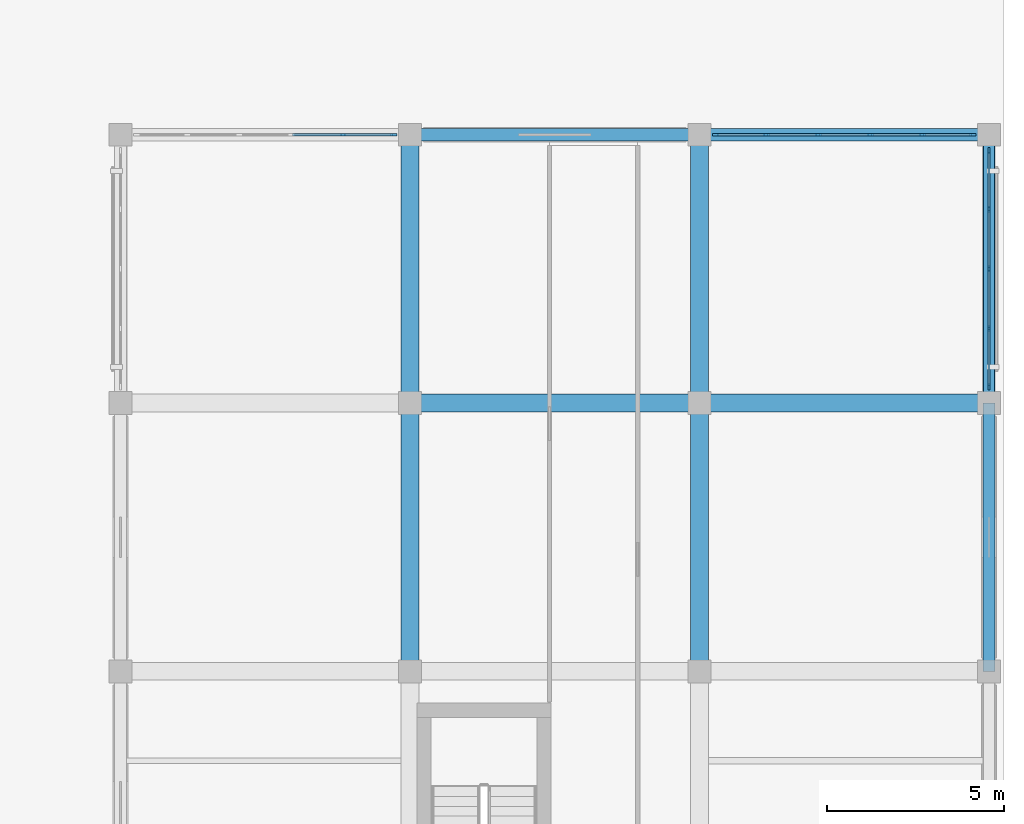
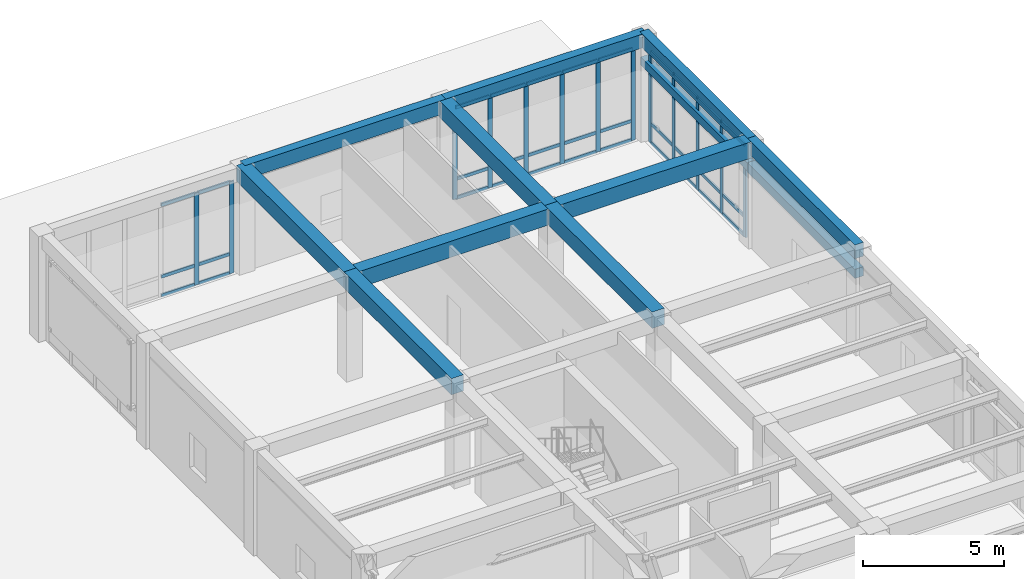
# One storey, part 10 of 23: 46 members, 12 beams, 3 elements without a shape of their own.
"""IFC4 building model written with IfcOpenShell, lengths in metres."""

from ifc_helpers import new_model, si_unit, direction, frame, origin, origin_2d, place, context, subcontext, project, spatial, rectangle, extrude, material, material_profile, profile_set, type_object, element, aggregate, save


model = new_model("IFC4")

# Units and contexts
model_context = context("Model", 3, precision=1e-05, world=origin(), true_north=direction((0.0, 1.0)))
body_context = subcontext(model_context, "Body", "Model", "MODEL_VIEW")
ifc_project = project(units=[si_unit("LENGTHUNIT", "METRE"), si_unit("AREAUNIT", "SQUARE_METRE"), si_unit("VOLUMEUNIT", "CUBIC_METRE"), si_unit("PLANEANGLEUNIT", "RADIAN"), si_unit("MASSUNIT", "GRAM", prefix="KILO")], contexts=[model_context])

# Site, building, storey
site_placement = place(None, origin())
site = spatial("IfcSite", under=ifc_project, at=site_placement, CompositionType="ELEMENT")
building_placement = place(site_placement, origin())
building = spatial("IfcBuilding", under=site, at=building_placement, Name="Qandaris Square Conservatory and Botanical Centre", CompositionType="ELEMENT")
storey_placement = place(building_placement, frame((0.0, 0.0, 15.0)))
storey = spatial("IfcBuildingStorey", under=building, at=storey_placement, Name="L03", CompositionType="ELEMENT", Elevation=15.0)

# Curtain wall, members
ifc_material_1 = material(Name="Anodised Aluminium", Category="aluminium")
curtain_wall_type_1 = type_object("IfcCurtainWallType", Name="Unitised Curtain Wall CW-4-675x397", PredefinedType="USERDEFINED", material=ifc_material_1)
curtain_wall_1_placement = place(storey_placement, origin())
curtain_wall_1 = element("IfcCurtainWall", 1, at=curtain_wall_1_placement, inside=storey, type_object=curtain_wall_type_1, Name="Curtain Wall CW-TWR-L03-2-10", ObjectType="GLAZED CURTAIN WALL", PredefinedType="USERDEFINED")
ifc_material_profile_1 = material_profile(ifc_material_1, rectangle(XDim=0.06494140625, YDim=0.179931640625, at=origin_2d()), Name="ALU-MUL 65x180")
ifc_profile_set_1 = profile_set([ifc_material_profile_1], Name="Anodised Aluminium")
member_type_1 = type_object("IfcMemberType", Name="Curtain Wall Mullion 65x180", PredefinedType="MULLION", material=ifc_profile_set_1)
member_1_placement = place(storey_placement, frame((163.800048828125, 85.45751953125, 0.0), z_axis=(0.0, 0.0, 1.0), x_axis=(-1.0, 0.0, 0.0)))
member_1 = element("IfcMember", 2, at=member_1_placement, type_object=member_type_1, Name="CW-4-675x397 mullion 1", PredefinedType="MULLION", context=body_context, shape_type="SweptSolid", body=[
    extrude(rectangle(XDim=0.06494140625, YDim=0.179931640625, at=origin_2d()), origin(), (0.0, 0.0, 1.0), 3.969970703125),
])
member_2_placement = place(storey_placement, frame((163.800048828125, 87.112548828125, 0.0), z_axis=(0.0, 0.0, 1.0), x_axis=(-1.0, 0.0, 0.0)))
member_2 = element("IfcMember", 3, at=member_2_placement, type_object=member_type_1, Name="CW-4-675x397 mullion 2", PredefinedType="MULLION", context=body_context, shape_type="SweptSolid", body=[
    extrude(rectangle(XDim=0.06494140625, YDim=0.179931640625, at=origin_2d()), origin(), (0.0, 0.0, 1.0), 3.969970703125),
])
member_3_placement = place(storey_placement, frame((163.800048828125, 88.800048828125, 0.0), z_axis=(0.0, 0.0, 1.0), x_axis=(-1.0, 0.0, 0.0)))
member_3 = element("IfcMember", 4, at=member_3_placement, type_object=member_type_1, Name="CW-4-675x397 mullion 3", PredefinedType="MULLION", context=body_context, shape_type="SweptSolid", body=[
    extrude(rectangle(XDim=0.06494140625, YDim=0.179931640625, at=origin_2d()), origin(), (0.0, 0.0, 1.0), 3.969970703125),
])
member_4_placement = place(storey_placement, frame((163.800048828125, 90.487548828125, 0.0), z_axis=(0.0, 0.0, 1.0), x_axis=(-1.0, 0.0, 0.0)))
member_4 = element("IfcMember", 5, at=member_4_placement, type_object=member_type_1, Name="CW-4-675x397 mullion 4", PredefinedType="MULLION", context=body_context, shape_type="SweptSolid", body=[
    extrude(rectangle(XDim=0.06494140625, YDim=0.179931640625, at=origin_2d()), origin(), (0.0, 0.0, 1.0), 3.969970703125),
])
member_5_placement = place(storey_placement, frame((163.800048828125, 92.142578125, 0.0), z_axis=(0.0, 0.0, 1.0), x_axis=(-1.0, 0.0, 0.0)))
member_5 = element("IfcMember", 6, at=member_5_placement, type_object=member_type_1, Name="CW-4-675x397 mullion 5", PredefinedType="MULLION", context=body_context, shape_type="SweptSolid", body=[
    extrude(rectangle(XDim=0.06494140625, YDim=0.179931640625, at=origin_2d()), origin(), (0.0, 0.0, 1.0), 3.969970703125),
])

curtain_wall_type_2 = type_object("IfcCurtainWallType", Name="Unitised Curtain Wall CW-3-735x397", PredefinedType="USERDEFINED", material=ifc_material_1)
curtain_wall_2_placement = place(storey_placement, origin())
curtain_wall_2 = element("IfcCurtainWall", 7, at=curtain_wall_2_placement, inside=storey, type_object=curtain_wall_type_2, Name="Curtain Wall CW-TWR-L03-3-1", ObjectType="GLAZED CURTAIN WALL", PredefinedType="USERDEFINED")
member_6_placement = place(storey_placement, frame((163.342529296875, 92.60009765625, 0.0), z_axis=(0.0, 0.0, 1.0), x_axis=(0.0, -1.0, 0.0)))
member_6 = element("IfcMember", 8, at=member_6_placement, type_object=member_type_1, Name="CW-3-735x397 mullion 1", PredefinedType="MULLION", context=body_context, shape_type="SweptSolid", body=[
    extrude(rectangle(XDim=0.06494140625, YDim=0.179931640625, at=origin_2d()), origin(), (0.0, 0.0, 1.0), 3.969970703125),
])
member_7_placement = place(storey_placement, frame((161.905029296875, 92.60009765625, 0.0), z_axis=(0.0, 0.0, 1.0), x_axis=(0.0, -1.0, 0.0)))
member_7 = element("IfcMember", 9, at=member_7_placement, type_object=member_type_1, Name="CW-3-735x397 mullion 2", PredefinedType="MULLION", context=body_context, shape_type="SweptSolid", body=[
    extrude(rectangle(XDim=0.06494140625, YDim=0.179931640625, at=origin_2d()), origin(), (0.0, 0.0, 1.0), 3.969970703125),
])
member_8_placement = place(storey_placement, frame((160.43505859375, 92.60009765625, 0.0), z_axis=(0.0, 0.0, 1.0), x_axis=(0.0, -1.0, 0.0)))
member_8 = element("IfcMember", 10, at=member_8_placement, type_object=member_type_1, Name="CW-3-735x397 mullion 3", PredefinedType="MULLION", context=body_context, shape_type="SweptSolid", body=[
    extrude(rectangle(XDim=0.06494140625, YDim=0.179931640625, at=origin_2d()), origin(), (0.0, 0.0, 1.0), 3.969970703125),
])
member_9_placement = place(storey_placement, frame((158.965087890625, 92.60009765625, 0.0), z_axis=(0.0, 0.0, 1.0), x_axis=(0.0, -1.0, 0.0)))
member_9 = element("IfcMember", 11, at=member_9_placement, type_object=member_type_1, Name="CW-3-735x397 mullion 4", PredefinedType="MULLION", context=body_context, shape_type="SweptSolid", body=[
    extrude(rectangle(XDim=0.06494140625, YDim=0.179931640625, at=origin_2d()), origin(), (0.0, 0.0, 1.0), 3.969970703125),
])
member_10_placement = place(storey_placement, frame((157.4951171875, 92.60009765625, 0.0), z_axis=(0.0, 0.0, 1.0), x_axis=(0.0, -1.0, 0.0)))
member_10 = element("IfcMember", 12, at=member_10_placement, type_object=member_type_1, Name="CW-3-735x397 mullion 5", PredefinedType="MULLION", context=body_context, shape_type="SweptSolid", body=[
    extrude(rectangle(XDim=0.06494140625, YDim=0.179931640625, at=origin_2d()), origin(), (0.0, 0.0, 1.0), 3.969970703125),
])
member_11_placement = place(storey_placement, frame((156.0576171875, 92.60009765625, 0.0), z_axis=(0.0, 0.0, 1.0), x_axis=(0.0, -1.0, 0.0)))
member_11 = element("IfcMember", 13, at=member_11_placement, type_object=member_type_1, Name="CW-3-735x397 mullion 6", PredefinedType="MULLION", context=body_context, shape_type="SweptSolid", body=[
    extrude(rectangle(XDim=0.06494140625, YDim=0.179931640625, at=origin_2d()), origin(), (0.0, 0.0, 1.0), 3.969970703125),
])

curtain_wall_3_placement = place(storey_placement, origin())
curtain_wall_3 = element("IfcCurtainWall", 14, at=curtain_wall_3_placement, inside=storey, type_object=curtain_wall_type_2, Name="Curtain Wall CW-TWR-L03-3-3", ObjectType="GLAZED CURTAIN WALL", PredefinedType="USERDEFINED")
member_12_placement = place(storey_placement, frame((146.9423828125, 92.60009765625, 0.0), z_axis=(0.0, 0.0, 1.0), x_axis=(0.0, -1.0, 0.0)))
member_12 = element("IfcMember", 15, at=member_12_placement, type_object=member_type_1, Name="CW-3-735x397 mullion 1", PredefinedType="MULLION", context=body_context, shape_type="SweptSolid", body=[
    extrude(rectangle(XDim=0.06494140625, YDim=0.179931640625, at=origin_2d()), origin(), (0.0, 0.0, 1.0), 3.969970703125),
])
member_13_placement = place(storey_placement, frame((145.5048828125, 92.60009765625, 0.0), z_axis=(0.0, 0.0, 1.0), x_axis=(0.0, -1.0, 0.0)))
member_13 = element("IfcMember", 16, at=member_13_placement, type_object=member_type_1, Name="CW-3-735x397 mullion 2", PredefinedType="MULLION", context=body_context, shape_type="SweptSolid", body=[
    extrude(rectangle(XDim=0.06494140625, YDim=0.179931640625, at=origin_2d()), origin(), (0.0, 0.0, 1.0), 3.969970703125),
])

# Member
ifc_material_profile_2 = material_profile(ifc_material_1, rectangle(XDim=0.06494140625, YDim=0.139892578125, at=origin_2d()), Name="ALU-TRN 65x140")
ifc_profile_set_2 = profile_set([ifc_material_profile_2], Name="Anodised Aluminium")
member_type_2 = type_object("IfcMemberType", Name="Curtain Wall Transom 65x140", PredefinedType="USERDEFINED", material=ifc_profile_set_2)
member_14_placement = place(storey_placement, frame((163.800048828125, 85.489990234375, 0.032470703125), z_axis=(0.0, 1.0, 0.0), x_axis=(-1.0, 0.0, 0.0)))
member_14 = element("IfcMember", 17, at=member_14_placement, type_object=member_type_2, Name="CW-4-675x397 transom 1.1", ObjectType="TRANSOM", PredefinedType="USERDEFINED", context=body_context, shape_type="SweptSolid", body=[
    extrude(rectangle(XDim=0.06494140625, YDim=0.139892578125, at=origin_2d()), origin(), (0.0, 0.0, 1.0), 1.590087890625),
])

member_15_placement = place(storey_placement, frame((163.800048828125, 85.489990234375, 0.85009765625), z_axis=(0.0, 1.0, 0.0), x_axis=(-1.0, 0.0, 0.0)))
member_15 = element("IfcMember", 18, at=member_15_placement, type_object=member_type_2, Name="CW-4-675x397 transom 1.2", ObjectType="TRANSOM", PredefinedType="USERDEFINED", context=body_context, shape_type="SweptSolid", body=[
    extrude(rectangle(XDim=0.06494140625, YDim=0.139892578125, at=origin_2d()), origin(), (0.0, 0.0, 1.0), 1.590087890625),
])

member_16_placement = place(storey_placement, frame((163.800048828125, 85.489990234375, 3.9375), z_axis=(0.0, 1.0, 0.0), x_axis=(-1.0, 0.0, 0.0)))
member_16 = element("IfcMember", 19, at=member_16_placement, type_object=member_type_2, Name="CW-4-675x397 transom 1.3", ObjectType="TRANSOM", PredefinedType="USERDEFINED", context=body_context, shape_type="SweptSolid", body=[
    extrude(rectangle(XDim=0.06494140625, YDim=0.139892578125, at=origin_2d()), origin(), (0.0, 0.0, 1.0), 1.590087890625),
])

member_17_placement = place(storey_placement, frame((163.800048828125, 87.14501953125, 0.032470703125), z_axis=(0.0, 1.0, 0.0), x_axis=(-1.0, 0.0, 0.0)))
member_17 = element("IfcMember", 20, at=member_17_placement, type_object=member_type_2, Name="CW-4-675x397 transom 2.1", ObjectType="TRANSOM", PredefinedType="USERDEFINED", context=body_context, shape_type="SweptSolid", body=[
    extrude(rectangle(XDim=0.06494140625, YDim=0.139892578125, at=origin_2d()), origin(), (0.0, 0.0, 1.0), 1.62255859375),
])

member_18_placement = place(storey_placement, frame((163.800048828125, 87.14501953125, 0.85009765625), z_axis=(0.0, 1.0, 0.0), x_axis=(-1.0, 0.0, 0.0)))
member_18 = element("IfcMember", 21, at=member_18_placement, type_object=member_type_2, Name="CW-4-675x397 transom 2.2", ObjectType="TRANSOM", PredefinedType="USERDEFINED", context=body_context, shape_type="SweptSolid", body=[
    extrude(rectangle(XDim=0.06494140625, YDim=0.139892578125, at=origin_2d()), origin(), (0.0, 0.0, 1.0), 1.62255859375),
])

member_19_placement = place(storey_placement, frame((163.800048828125, 87.14501953125, 3.9375), z_axis=(0.0, 1.0, 0.0), x_axis=(-1.0, 0.0, 0.0)))
member_19 = element("IfcMember", 22, at=member_19_placement, type_object=member_type_2, Name="CW-4-675x397 transom 2.3", ObjectType="TRANSOM", PredefinedType="USERDEFINED", context=body_context, shape_type="SweptSolid", body=[
    extrude(rectangle(XDim=0.06494140625, YDim=0.139892578125, at=origin_2d()), origin(), (0.0, 0.0, 1.0), 1.62255859375),
])

member_20_placement = place(storey_placement, frame((163.800048828125, 88.83251953125, 0.032470703125), z_axis=(0.0, 1.0, 0.0), x_axis=(-1.0, 0.0, 0.0)))
member_20 = element("IfcMember", 23, at=member_20_placement, type_object=member_type_2, Name="CW-4-675x397 transom 3.1", ObjectType="TRANSOM", PredefinedType="USERDEFINED", context=body_context, shape_type="SweptSolid", body=[
    extrude(rectangle(XDim=0.06494140625, YDim=0.139892578125, at=origin_2d()), origin(), (0.0, 0.0, 1.0), 1.62255859375),
])

member_21_placement = place(storey_placement, frame((163.800048828125, 88.83251953125, 0.85009765625), z_axis=(0.0, 1.0, 0.0), x_axis=(-1.0, 0.0, 0.0)))
member_21 = element("IfcMember", 24, at=member_21_placement, type_object=member_type_2, Name="CW-4-675x397 transom 3.2", ObjectType="TRANSOM", PredefinedType="USERDEFINED", context=body_context, shape_type="SweptSolid", body=[
    extrude(rectangle(XDim=0.06494140625, YDim=0.139892578125, at=origin_2d()), origin(), (0.0, 0.0, 1.0), 1.62255859375),
])

member_22_placement = place(storey_placement, frame((163.800048828125, 88.83251953125, 3.9375), z_axis=(0.0, 1.0, 0.0), x_axis=(-1.0, 0.0, 0.0)))
member_22 = element("IfcMember", 25, at=member_22_placement, type_object=member_type_2, Name="CW-4-675x397 transom 3.3", ObjectType="TRANSOM", PredefinedType="USERDEFINED", context=body_context, shape_type="SweptSolid", body=[
    extrude(rectangle(XDim=0.06494140625, YDim=0.139892578125, at=origin_2d()), origin(), (0.0, 0.0, 1.0), 1.62255859375),
])

member_23_placement = place(storey_placement, frame((163.800048828125, 90.52001953125, 0.032470703125), z_axis=(0.0, 1.0, 0.0), x_axis=(-1.0, 0.0, 0.0)))
member_23 = element("IfcMember", 26, at=member_23_placement, type_object=member_type_2, Name="CW-4-675x397 transom 4.1", ObjectType="TRANSOM", PredefinedType="USERDEFINED", context=body_context, shape_type="SweptSolid", body=[
    extrude(rectangle(XDim=0.06494140625, YDim=0.139892578125, at=origin_2d()), origin(), (0.0, 0.0, 1.0), 1.590087890625),
])

member_24_placement = place(storey_placement, frame((163.800048828125, 90.52001953125, 0.85009765625), z_axis=(0.0, 1.0, 0.0), x_axis=(-1.0, 0.0, 0.0)))
member_24 = element("IfcMember", 27, at=member_24_placement, type_object=member_type_2, Name="CW-4-675x397 transom 4.2", ObjectType="TRANSOM", PredefinedType="USERDEFINED", context=body_context, shape_type="SweptSolid", body=[
    extrude(rectangle(XDim=0.06494140625, YDim=0.139892578125, at=origin_2d()), origin(), (0.0, 0.0, 1.0), 1.590087890625),
])

member_25_placement = place(storey_placement, frame((163.800048828125, 90.52001953125, 3.9375), z_axis=(0.0, 1.0, 0.0), x_axis=(-1.0, 0.0, 0.0)))
member_25 = element("IfcMember", 28, at=member_25_placement, type_object=member_type_2, Name="CW-4-675x397 transom 4.3", ObjectType="TRANSOM", PredefinedType="USERDEFINED", context=body_context, shape_type="SweptSolid", body=[
    extrude(rectangle(XDim=0.06494140625, YDim=0.139892578125, at=origin_2d()), origin(), (0.0, 0.0, 1.0), 1.590087890625),
])

aggregate(curtain_wall_1, [member_1, member_2, member_3, member_4, member_5, member_14, member_15, member_16, member_17, member_18, member_19, member_20, member_21, member_22, member_23, member_24, member_25])

member_26_placement = place(storey_placement, frame((163.31005859375, 92.60009765625, 0.032470703125), z_axis=(-1.0, 0.0, 0.0), x_axis=(0.0, -1.0, 0.0)))
member_26 = element("IfcMember", 29, at=member_26_placement, type_object=member_type_2, Name="CW-3-735x397 transom 1.1", ObjectType="TRANSOM", PredefinedType="USERDEFINED", context=body_context, shape_type="SweptSolid", body=[
    extrude(rectangle(XDim=0.06494140625, YDim=0.139892578125, at=origin_2d()), origin(), (0.0, 0.0, 1.0), 1.37255859375),
])

member_27_placement = place(storey_placement, frame((163.31005859375, 92.60009765625, 0.85009765625), z_axis=(-1.0, 0.0, 0.0), x_axis=(0.0, -1.0, 0.0)))
member_27 = element("IfcMember", 30, at=member_27_placement, type_object=member_type_2, Name="CW-3-735x397 transom 1.2", ObjectType="TRANSOM", PredefinedType="USERDEFINED", context=body_context, shape_type="SweptSolid", body=[
    extrude(rectangle(XDim=0.06494140625, YDim=0.139892578125, at=origin_2d()), origin(), (0.0, 0.0, 1.0), 1.37255859375),
])

member_28_placement = place(storey_placement, frame((163.31005859375, 92.60009765625, 3.9375), z_axis=(-1.0, 0.0, 0.0), x_axis=(0.0, -1.0, 0.0)))
member_28 = element("IfcMember", 31, at=member_28_placement, type_object=member_type_2, Name="CW-3-735x397 transom 1.3", ObjectType="TRANSOM", PredefinedType="USERDEFINED", context=body_context, shape_type="SweptSolid", body=[
    extrude(rectangle(XDim=0.06494140625, YDim=0.139892578125, at=origin_2d()), origin(), (0.0, 0.0, 1.0), 1.37255859375),
])

member_29_placement = place(storey_placement, frame((161.87255859375, 92.60009765625, 0.032470703125), z_axis=(-1.0, 0.0, 0.0), x_axis=(0.0, -1.0, 0.0)))
member_29 = element("IfcMember", 32, at=member_29_placement, type_object=member_type_2, Name="CW-3-735x397 transom 2.1", ObjectType="TRANSOM", PredefinedType="USERDEFINED", context=body_context, shape_type="SweptSolid", body=[
    extrude(rectangle(XDim=0.06494140625, YDim=0.139892578125, at=origin_2d()), origin(), (0.0, 0.0, 1.0), 1.405029296875),
])

member_30_placement = place(storey_placement, frame((161.87255859375, 92.60009765625, 0.85009765625), z_axis=(-1.0, 0.0, 0.0), x_axis=(0.0, -1.0, 0.0)))
member_30 = element("IfcMember", 33, at=member_30_placement, type_object=member_type_2, Name="CW-3-735x397 transom 2.2", ObjectType="TRANSOM", PredefinedType="USERDEFINED", context=body_context, shape_type="SweptSolid", body=[
    extrude(rectangle(XDim=0.06494140625, YDim=0.139892578125, at=origin_2d()), origin(), (0.0, 0.0, 1.0), 1.405029296875),
])

member_31_placement = place(storey_placement, frame((161.87255859375, 92.60009765625, 3.9375), z_axis=(-1.0, 0.0, 0.0), x_axis=(0.0, -1.0, 0.0)))
member_31 = element("IfcMember", 34, at=member_31_placement, type_object=member_type_2, Name="CW-3-735x397 transom 2.3", ObjectType="TRANSOM", PredefinedType="USERDEFINED", context=body_context, shape_type="SweptSolid", body=[
    extrude(rectangle(XDim=0.06494140625, YDim=0.139892578125, at=origin_2d()), origin(), (0.0, 0.0, 1.0), 1.405029296875),
])

member_32_placement = place(storey_placement, frame((160.402587890625, 92.60009765625, 0.032470703125), z_axis=(-1.0, 0.0, 0.0), x_axis=(0.0, -1.0, 0.0)))
member_32 = element("IfcMember", 35, at=member_32_placement, type_object=member_type_2, Name="CW-3-735x397 transom 3.1", ObjectType="TRANSOM", PredefinedType="USERDEFINED", context=body_context, shape_type="SweptSolid", body=[
    extrude(rectangle(XDim=0.06494140625, YDim=0.139892578125, at=origin_2d()), origin(), (0.0, 0.0, 1.0), 1.405029296875),
])

member_33_placement = place(storey_placement, frame((160.402587890625, 92.60009765625, 0.85009765625), z_axis=(-1.0, 0.0, 0.0), x_axis=(0.0, -1.0, 0.0)))
member_33 = element("IfcMember", 36, at=member_33_placement, type_object=member_type_2, Name="CW-3-735x397 transom 3.2", ObjectType="TRANSOM", PredefinedType="USERDEFINED", context=body_context, shape_type="SweptSolid", body=[
    extrude(rectangle(XDim=0.06494140625, YDim=0.139892578125, at=origin_2d()), origin(), (0.0, 0.0, 1.0), 1.405029296875),
])

member_34_placement = place(storey_placement, frame((160.402587890625, 92.60009765625, 3.9375), z_axis=(-1.0, 0.0, 0.0), x_axis=(0.0, -1.0, 0.0)))
member_34 = element("IfcMember", 37, at=member_34_placement, type_object=member_type_2, Name="CW-3-735x397 transom 3.3", ObjectType="TRANSOM", PredefinedType="USERDEFINED", context=body_context, shape_type="SweptSolid", body=[
    extrude(rectangle(XDim=0.06494140625, YDim=0.139892578125, at=origin_2d()), origin(), (0.0, 0.0, 1.0), 1.405029296875),
])

member_35_placement = place(storey_placement, frame((158.9326171875, 92.60009765625, 0.032470703125), z_axis=(-1.0, 0.0, 0.0), x_axis=(0.0, -1.0, 0.0)))
member_35 = element("IfcMember", 38, at=member_35_placement, type_object=member_type_2, Name="CW-3-735x397 transom 4.1", ObjectType="TRANSOM", PredefinedType="USERDEFINED", context=body_context, shape_type="SweptSolid", body=[
    extrude(rectangle(XDim=0.06494140625, YDim=0.139892578125, at=origin_2d()), origin(), (0.0, 0.0, 1.0), 1.405029296875),
])

member_36_placement = place(storey_placement, frame((158.9326171875, 92.60009765625, 0.85009765625), z_axis=(-1.0, 0.0, 0.0), x_axis=(0.0, -1.0, 0.0)))
member_36 = element("IfcMember", 39, at=member_36_placement, type_object=member_type_2, Name="CW-3-735x397 transom 4.2", ObjectType="TRANSOM", PredefinedType="USERDEFINED", context=body_context, shape_type="SweptSolid", body=[
    extrude(rectangle(XDim=0.06494140625, YDim=0.139892578125, at=origin_2d()), origin(), (0.0, 0.0, 1.0), 1.405029296875),
])

member_37_placement = place(storey_placement, frame((158.9326171875, 92.60009765625, 3.9375), z_axis=(-1.0, 0.0, 0.0), x_axis=(0.0, -1.0, 0.0)))
member_37 = element("IfcMember", 40, at=member_37_placement, type_object=member_type_2, Name="CW-3-735x397 transom 4.3", ObjectType="TRANSOM", PredefinedType="USERDEFINED", context=body_context, shape_type="SweptSolid", body=[
    extrude(rectangle(XDim=0.06494140625, YDim=0.139892578125, at=origin_2d()), origin(), (0.0, 0.0, 1.0), 1.405029296875),
])

member_38_placement = place(storey_placement, frame((157.46240234375, 92.60009765625, 0.032470703125), z_axis=(-1.0, 0.0, 0.0), x_axis=(0.0, -1.0, 0.0)))
member_38 = element("IfcMember", 41, at=member_38_placement, type_object=member_type_2, Name="CW-3-735x397 transom 5.1", ObjectType="TRANSOM", PredefinedType="USERDEFINED", context=body_context, shape_type="SweptSolid", body=[
    extrude(rectangle(XDim=0.06494140625, YDim=0.139892578125, at=origin_2d()), origin(), (0.0, 0.0, 1.0), 1.372314453125),
])

member_39_placement = place(storey_placement, frame((157.46240234375, 92.60009765625, 0.85009765625), z_axis=(-1.0, 0.0, 0.0), x_axis=(0.0, -1.0, 0.0)))
member_39 = element("IfcMember", 42, at=member_39_placement, type_object=member_type_2, Name="CW-3-735x397 transom 5.2", ObjectType="TRANSOM", PredefinedType="USERDEFINED", context=body_context, shape_type="SweptSolid", body=[
    extrude(rectangle(XDim=0.06494140625, YDim=0.139892578125, at=origin_2d()), origin(), (0.0, 0.0, 1.0), 1.372314453125),
])

member_40_placement = place(storey_placement, frame((157.46240234375, 92.60009765625, 3.9375), z_axis=(-1.0, 0.0, 0.0), x_axis=(0.0, -1.0, 0.0)))
member_40 = element("IfcMember", 43, at=member_40_placement, type_object=member_type_2, Name="CW-3-735x397 transom 5.3", ObjectType="TRANSOM", PredefinedType="USERDEFINED", context=body_context, shape_type="SweptSolid", body=[
    extrude(rectangle(XDim=0.06494140625, YDim=0.139892578125, at=origin_2d()), origin(), (0.0, 0.0, 1.0), 1.372314453125),
])

aggregate(curtain_wall_2, [member_6, member_7, member_8, member_9, member_10, member_11, member_26, member_27, member_28, member_29, member_30, member_31, member_32, member_33, member_34, member_35, member_36, member_37, member_38, member_39, member_40])

member_41_placement = place(storey_placement, frame((146.909912109375, 92.60009765625, 0.032470703125), z_axis=(-1.0, 0.0, 0.0), x_axis=(0.0, -1.0, 0.0)))
member_41 = element("IfcMember", 44, at=member_41_placement, type_object=member_type_2, Name="CW-3-735x397 transom 1.1", ObjectType="TRANSOM", PredefinedType="USERDEFINED", context=body_context, shape_type="SweptSolid", body=[
    extrude(rectangle(XDim=0.06494140625, YDim=0.139892578125, at=origin_2d()), origin(), (0.0, 0.0, 1.0), 1.372314453125),
])

member_42_placement = place(storey_placement, frame((146.909912109375, 92.60009765625, 0.85009765625), z_axis=(-1.0, 0.0, 0.0), x_axis=(0.0, -1.0, 0.0)))
member_42 = element("IfcMember", 45, at=member_42_placement, type_object=member_type_2, Name="CW-3-735x397 transom 1.2", ObjectType="TRANSOM", PredefinedType="USERDEFINED", context=body_context, shape_type="SweptSolid", body=[
    extrude(rectangle(XDim=0.06494140625, YDim=0.139892578125, at=origin_2d()), origin(), (0.0, 0.0, 1.0), 1.372314453125),
])

member_43_placement = place(storey_placement, frame((146.909912109375, 92.60009765625, 3.9375), z_axis=(-1.0, 0.0, 0.0), x_axis=(0.0, -1.0, 0.0)))
member_43 = element("IfcMember", 46, at=member_43_placement, type_object=member_type_2, Name="CW-3-735x397 transom 1.3", ObjectType="TRANSOM", PredefinedType="USERDEFINED", context=body_context, shape_type="SweptSolid", body=[
    extrude(rectangle(XDim=0.06494140625, YDim=0.139892578125, at=origin_2d()), origin(), (0.0, 0.0, 1.0), 1.372314453125),
])

member_44_placement = place(storey_placement, frame((145.472412109375, 92.60009765625, 0.032470703125), z_axis=(-1.0, 0.0, 0.0), x_axis=(0.0, -1.0, 0.0)))
member_44 = element("IfcMember", 47, at=member_44_placement, type_object=member_type_2, Name="CW-3-735x397 transom 2.1", ObjectType="TRANSOM", PredefinedType="USERDEFINED", context=body_context, shape_type="SweptSolid", body=[
    extrude(rectangle(XDim=0.06494140625, YDim=0.139892578125, at=origin_2d()), origin(), (0.0, 0.0, 1.0), 1.405029296875),
])

member_45_placement = place(storey_placement, frame((145.472412109375, 92.60009765625, 0.85009765625), z_axis=(-1.0, 0.0, 0.0), x_axis=(0.0, -1.0, 0.0)))
member_45 = element("IfcMember", 48, at=member_45_placement, type_object=member_type_2, Name="CW-3-735x397 transom 2.2", ObjectType="TRANSOM", PredefinedType="USERDEFINED", context=body_context, shape_type="SweptSolid", body=[
    extrude(rectangle(XDim=0.06494140625, YDim=0.139892578125, at=origin_2d()), origin(), (0.0, 0.0, 1.0), 1.405029296875),
])

member_46_placement = place(storey_placement, frame((145.472412109375, 92.60009765625, 3.9375), z_axis=(-1.0, 0.0, 0.0), x_axis=(0.0, -1.0, 0.0)))
member_46 = element("IfcMember", 49, at=member_46_placement, type_object=member_type_2, Name="CW-3-735x397 transom 2.3", ObjectType="TRANSOM", PredefinedType="USERDEFINED", context=body_context, shape_type="SweptSolid", body=[
    extrude(rectangle(XDim=0.06494140625, YDim=0.139892578125, at=origin_2d()), origin(), (0.0, 0.0, 1.0), 1.405029296875),
])

aggregate(curtain_wall_3, [member_12, member_13, member_41, member_42, member_43, member_44, member_45, member_46])

# Beams
ifc_material_2 = material(Name="Precast concrete C40/50", Category="concrete")
ifc_material_profile_3 = material_profile(ifc_material_2, rectangle(XDim=0.300048828125, YDim=0.35009765625, at=origin_2d()), Name="RC-LN 300x350")
ifc_profile_set_3 = profile_set([ifc_material_profile_3], Name="Precast concrete C40/50")
beam_type_1 = type_object("IfcBeamType", Name="Precast Opening Lintel 300x350", PredefinedType="LINTEL", material=ifc_profile_set_3)
beam_1_placement = place(storey_placement, frame((163.800048828125, 85.0, 3.294921875), z_axis=(0.0, 1.0, 0.0), x_axis=(-1.0, 0.0, 0.0)))
element("IfcBeam", 50, at=beam_1_placement, inside=storey, type_object=beam_type_1, Name="Precast Lintel 046", PredefinedType="LINTEL", context=body_context, shape_type="SweptSolid", body=[
    extrude(rectangle(XDim=0.300048828125, YDim=0.35009765625, at=origin_2d()), origin(), (0.0, 0.0, 1.0), 7.60009765625),
])
ifc_material_profile_4 = material_profile(ifc_material_2, rectangle(XDim=0.35009765625, YDim=0.39990234375, at=origin_2d()), Name="RC-LN 350x400")
ifc_profile_set_4 = profile_set([ifc_material_profile_4], Name="Precast concrete C40/50")
beam_type_2 = type_object("IfcBeamType", Name="Precast Opening Lintel 350x400", PredefinedType="LINTEL", material=ifc_profile_set_4)
beam_2_placement = place(storey_placement, frame((163.800048828125, 77.39990234375, 3.320068359375), z_axis=(0.0, 1.0, 0.0), x_axis=(-1.0, 0.0, 0.0)))
element("IfcBeam", 51, at=beam_2_placement, inside=storey, type_object=beam_type_2, Name="Precast Lintel 045", PredefinedType="LINTEL", context=body_context, shape_type="SweptSolid", body=[
    extrude(rectangle(XDim=0.35009765625, YDim=0.39990234375, at=origin_2d()), origin(), (0.0, 0.0, 1.0), 7.60009765625),
])
ifc_material_3 = material(Name="Concrete C50/60", Category="concrete")
ifc_material_profile_5 = material_profile(ifc_material_3, rectangle(XDim=0.35009765625, YDim=0.60009765625, at=origin_2d()), Name="RC-SP 350x600")
ifc_profile_set_5 = profile_set([ifc_material_profile_5], Name="Concrete C50/60")
beam_type_3 = type_object("IfcBeamType", Name="RC Edge Spandrel Beam 350x600", PredefinedType="SPANDREL", material=ifc_profile_set_5)
beam_3_placement = place(storey_placement, frame((147.39990234375, 92.60009765625, 4.27001953125), z_axis=(1.0, 0.0, 0.0), x_axis=(0.0, 1.0, 0.0)))
element("IfcBeam", 52, at=beam_3_placement, inside=storey, type_object=beam_type_3, Name="L03 Frame Beam 1579", PredefinedType="SPANDREL", context=body_context, shape_type="SweptSolid", body=[
    extrude(rectangle(XDim=0.35009765625, YDim=0.60009765625, at=origin_2d()), origin(), (0.0, 0.0, 1.0), 8.2001953125),
])
beam_4_placement = place(storey_placement, frame((155.60009765625, 92.60009765625, 4.27001953125), z_axis=(1.0, 0.0, 0.0), x_axis=(0.0, 1.0, 0.0)))
element("IfcBeam", 53, at=beam_4_placement, inside=storey, type_object=beam_type_3, Name="L03 Frame Beam 1580", PredefinedType="SPANDREL", context=body_context, shape_type="SweptSolid", body=[
    extrude(rectangle(XDim=0.35009765625, YDim=0.60009765625, at=origin_2d()), origin(), (0.0, 0.0, 1.0), 8.199951171875),
])
for number, where, z_axis, x_axis, name in (
    (54, (163.800048828125, 77.39990234375, 4.27001953125), (0.0, 1.0, 0.0), (-1.0, 0.0, 0.0), "L03 Frame Beam 1631"),
    (55, (163.800048828125, 85.0, 4.27001953125), (0.0, 1.0, 0.0), (-1.0, 0.0, 0.0), "L03 Frame Beam 1632"),
):
    element("IfcBeam", number, at=place(storey_placement, frame(where, z_axis=z_axis, x_axis=x_axis)), inside=storey, type_object=beam_type_3, Name=name, PredefinedType="SPANDREL", context=body_context, shape_type="SweptSolid", body=[
        extrude(rectangle(XDim=0.35009765625, YDim=0.60009765625, at=origin_2d()), origin(), (0.0, 0.0, 1.0), 7.60009765625),
    ])
ifc_material_profile_6 = material_profile(ifc_material_3, rectangle(XDim=0.5, YDim=0.699951171875, at=origin_2d()), Name="RC-BM 500x700")
ifc_profile_set_6 = profile_set([ifc_material_profile_6], Name="Concrete C50/60")
beam_type_4 = type_object("IfcBeamType", Name="RC Floor Girder 500x700", PredefinedType="BEAM", material=ifc_profile_set_6)
beam_5_placement = place(storey_placement, frame((147.39990234375, 85.0, 4.219970703125), z_axis=(1.0, 0.0, 0.0), x_axis=(0.0, 1.0, 0.0)))
element("IfcBeam", 56, at=beam_5_placement, inside=storey, type_object=beam_type_4, Name="L03 Frame Beam 1576", PredefinedType="BEAM", context=body_context, shape_type="SweptSolid", body=[
    extrude(rectangle(XDim=0.5, YDim=0.699951171875, at=origin_2d()), origin(), (0.0, 0.0, 1.0), 8.2001953125),
])
beam_6_placement = place(storey_placement, frame((155.60009765625, 85.0, 4.219970703125), z_axis=(1.0, 0.0, 0.0), x_axis=(0.0, 1.0, 0.0)))
element("IfcBeam", 57, at=beam_6_placement, inside=storey, type_object=beam_type_4, Name="L03 Frame Beam 1577", PredefinedType="BEAM", context=body_context, shape_type="SweptSolid", body=[
    extrude(rectangle(XDim=0.5, YDim=0.699951171875, at=origin_2d()), origin(), (0.0, 0.0, 1.0), 8.199951171875),
])
for number, where, z_axis, x_axis, name in (
    (58, (147.39990234375, 77.39990234375, 4.219970703125), (0.0, 1.0, 0.0), (-1.0, 0.0, 0.0), "L03 Frame Beam 1611"),
    (59, (147.39990234375, 85.0, 4.219970703125), (0.0, 1.0, 0.0), (-1.0, 0.0, 0.0), "L03 Frame Beam 1612"),
    (60, (155.60009765625, 77.39990234375, 4.219970703125), (0.0, 1.0, 0.0), (-1.0, 0.0, 0.0), "L03 Frame Beam 1621"),
    (61, (155.60009765625, 85.0, 4.219970703125), (0.0, 1.0, 0.0), (-1.0, 0.0, 0.0), "L03 Frame Beam 1622"),
):
    element("IfcBeam", number, at=place(storey_placement, frame(where, z_axis=z_axis, x_axis=x_axis)), inside=storey, type_object=beam_type_4, Name=name, PredefinedType="BEAM", context=body_context, shape_type="SweptSolid", body=[
        extrude(rectangle(XDim=0.5, YDim=0.699951171875, at=origin_2d()), origin(), (0.0, 0.0, 1.0), 7.60009765625),
    ])

save(model, "model.ifc")
